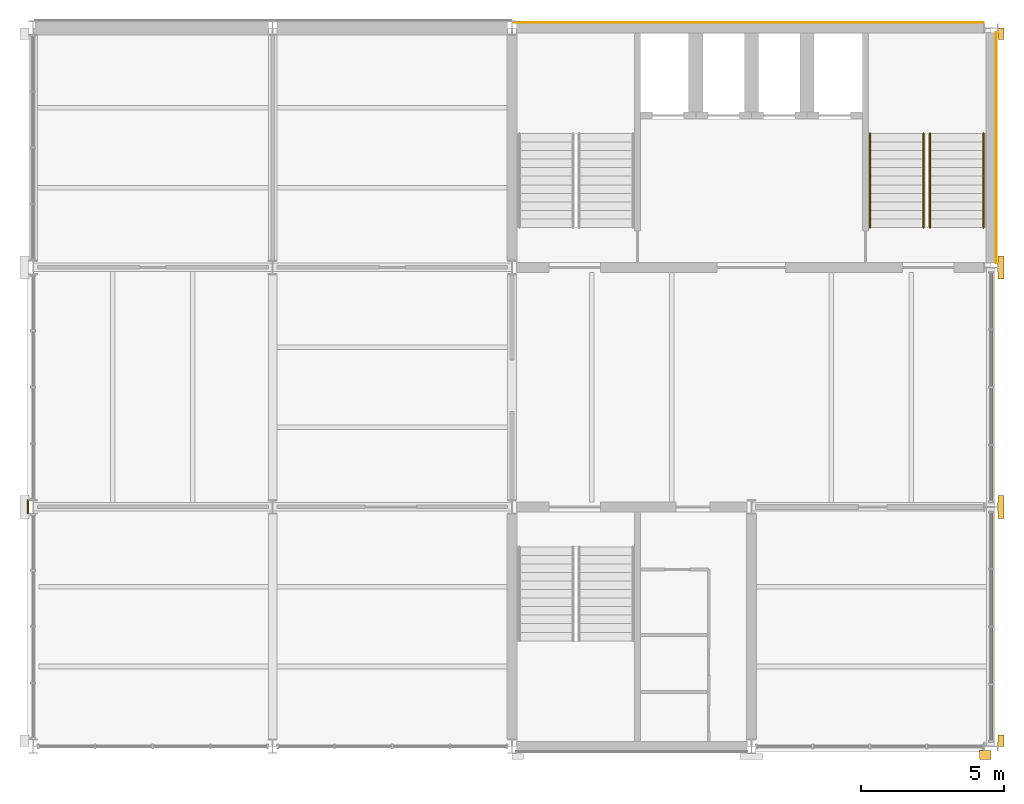
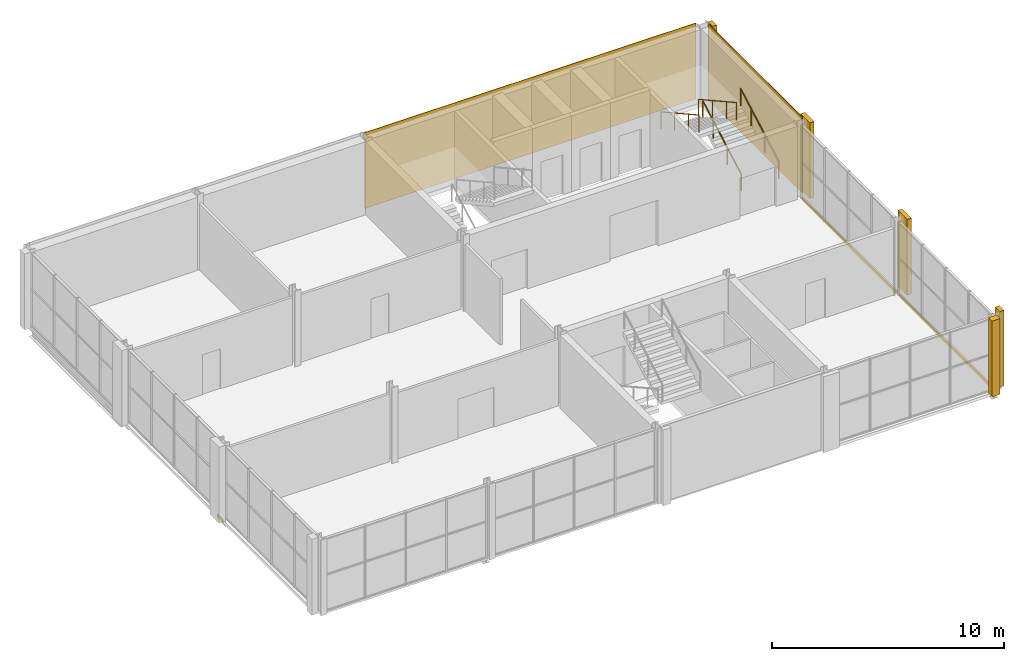
# One storey, part 12 of 12: 10 coverings, 4 railings.
"""IFC4 building model written with IfcOpenShell, lengths in metres."""

from ifc_helpers import new_model, si_unit, direction, frame, origin, origin_2d, place, context, subcontext, project, spatial, rectangle, circle, extrude, material, layer, layer_set, type_object, element, save


model = new_model("IFC4")

# Units and contexts
model_context = context("Model", 3, precision=1e-05, world=origin(), true_north=direction((0.0, 1.0)))
body_context = subcontext(model_context, "Body", "Model", "MODEL_VIEW")
ifc_project = project(units=[si_unit("LENGTHUNIT", "METRE"), si_unit("AREAUNIT", "SQUARE_METRE"), si_unit("VOLUMEUNIT", "CUBIC_METRE"), si_unit("PLANEANGLEUNIT", "RADIAN"), si_unit("MASSUNIT", "GRAM", prefix="KILO")], contexts=[model_context])

# Site, building, storey
site_placement = place(None, origin())
site = spatial("IfcSite", under=ifc_project, at=site_placement, CompositionType="ELEMENT")
building_placement = place(site_placement, origin())
building = spatial("IfcBuilding", under=site, at=building_placement, Name="Galleria Vessillo Department Store", CompositionType="ELEMENT")
storey_placement = place(building_placement, frame((0.0, 0.0, 35.60009765625)))
storey = spatial("IfcBuildingStorey", under=building, at=storey_placement, Name="L07", CompositionType="ELEMENT", Elevation=35.60009765625)

# Coverings
ifc_material_1 = material(Name="Lime plaster (intonaco) ochre")
ifc_layer_1 = layer(ifc_material_1, 0.030029296875)
ifc_layer_set_1 = layer_set([ifc_layer_1], Name="Lime plaster (intonaco) ochre")
covering_type_1 = type_object("IfcCoveringType", Name="Lime plaster render 30 mm", PredefinedType="CLADDING", material=ifc_layer_set_1)
covering_1_placement = place(storey_placement, frame((109.090087890625, 63.18994140625, 0.0), z_axis=(0.0, 0.0, 1.0), x_axis=(1.0, 0.0, 0.0)))
element("IfcCovering", 1, at=covering_1_placement, inside=storey, type_object=covering_type_1, Name="Wall cladding S-CW-TC-PARTY-L07", PredefinedType="CLADDING", context=body_context, shape_type="SweptSolid", body=[
    extrude(rectangle(XDim=16.52001953125, YDim=0.030029296875, at=origin_2d()), origin(), (0.0, 0.0, 1.0), 4.0),
])
ifc_material_2 = material(Name="Botticino limestone ashlar", Category="masonry")
ifc_layer_2 = layer(ifc_material_2, 0.14990234375)
ifc_layer_set_2 = layer_set([ifc_layer_2], Name="Botticino limestone ashlar")
covering_type_2 = type_object("IfcCoveringType", Name="Limestone slab-edge fascia 150 mm", PredefinedType="CLADDING", material=ifc_layer_set_2)
covering_2_placement = place(storey_placement, frame((117.64013671875, 42.0, -0.14990234375), z_axis=(0.0, 0.0, 1.0), x_axis=(1.0, 0.0, 0.0)))
element("IfcCovering", 2, at=covering_2_placement, inside=storey, type_object=covering_type_2, Name="Slab-edge fascia TE-L06-01", PredefinedType="CLADDING", context=body_context, shape_type="SweptSolid", body=[
    extrude(rectangle(XDim=0.080078125, YDim=8.099853515625, at=origin_2d()), origin(), (0.0, 0.0, 1.0), 0.14990234375),
])
covering_3_placement = place(storey_placement, frame((117.64013671875, 50.39990234375, -0.14990234375), z_axis=(0.0, 0.0, 1.0), x_axis=(1.0, 0.0, 0.0)))
element("IfcCovering", 3, at=covering_3_placement, inside=storey, type_object=covering_type_2, Name="Slab-edge fascia TE-L06-02", PredefinedType="CLADDING", context=body_context, shape_type="SweptSolid", body=[
    extrude(rectangle(XDim=0.080078125, YDim=8.10009765625, at=origin_2d()), origin(), (0.0, 0.0, 1.0), 0.14990234375),
])
covering_4_placement = place(storey_placement, frame((83.824951171875, 46.199951171875, -0.150146484375), z_axis=(0.0, 0.0, 1.0), x_axis=(1.0, 0.0, 0.0)))
element("IfcCovering", 4, at=covering_4_placement, inside=storey, type_object=covering_type_2, Name="Joint block Slab-edge fascia TW-L06-01", PredefinedType="CLADDING", context=body_context, shape_type="SweptSolid", body=[
    extrude(rectangle(XDim=0.050048828125, YDim=0.5, at=origin_2d()), origin(), (0.0, 0.0, 1.0), 0.14990234375),
])
ifc_material_3 = material(Name="Botticino limestone ashlar", Category="masonry")
ifc_layer_3 = layer(ifc_material_3, 0.31005859375)
ifc_layer_set_3 = layer_set([ifc_layer_3], Name="Botticino limestone ashlar")
covering_type_3 = type_object("IfcCoveringType", Name="Limestone tower pilaster strip", PredefinedType="CLADDING", material=ifc_layer_set_3)
covering_5_placement = place(storey_placement, frame((117.955078125, 38.0, 0.0), z_axis=(0.0, 0.0, 1.0), x_axis=(1.0, 0.0, 0.0)))
element("IfcCovering", 5, at=covering_5_placement, inside=storey, type_object=covering_type_3, Name="Tower pilaster strip E L07 37.8", PredefinedType="CLADDING", context=body_context, shape_type="SweptSolid", body=[
    extrude(rectangle(XDim=0.2099609375, YDim=0.39990234375, at=origin_2d()), origin(), (0.0, 0.0, 1.0), 4.0),
])
for number, where, z_axis, x_axis, name in (
    (6, (117.955078125, 46.199951171875, 0.0), (0.0, 0.0, 1.0), (1.0, 0.0, 0.0), "Tower pilaster strip E L07 46.2"),
    (7, (117.955078125, 54.60009765625, 0.0), (0.0, 0.0, 1.0), (1.0, 0.0, 0.0), "Tower pilaster strip E L07 54.6"),
):
    element("IfcCovering", number, at=place(storey_placement, frame(where, z_axis=z_axis, x_axis=x_axis)), inside=storey, type_object=covering_type_3, Name=name, PredefinedType="CLADDING", context=body_context, shape_type="SweptSolid", body=[
        extrude(rectangle(XDim=0.2099609375, YDim=0.800048828125, at=origin_2d()), origin(), (0.0, 0.0, 1.0), 4.0),
    ])
covering_6_placement = place(storey_placement, frame((117.955078125, 62.800048828125, 0.0), z_axis=(0.0, 0.0, 1.0), x_axis=(1.0, 0.0, 0.0)))
element("IfcCovering", 8, at=covering_6_placement, inside=storey, type_object=covering_type_3, Name="Tower pilaster strip E L07 63.0", PredefinedType="CLADDING", context=body_context, shape_type="SweptSolid", body=[
    extrude(rectangle(XDim=0.2099609375, YDim=0.39990234375, at=origin_2d()), origin(), (0.0, 0.0, 1.0), 4.0),
])
covering_7_placement = place(storey_placement, frame((117.400146484375, 37.4951171875, 0.0), z_axis=(0.0, 0.0, 1.0), x_axis=(1.0, 0.0, 0.0)))
element("IfcCovering", 9, at=covering_7_placement, inside=storey, type_object=covering_type_3, Name="Tower pilaster strip S L07 117.6", PredefinedType="CLADDING", context=body_context, shape_type="SweptSolid", body=[
    extrude(rectangle(XDim=0.39990234375, YDim=0.31005859375, at=origin_2d()), origin(), (0.0, 0.0, 1.0), 4.0),
])
ifc_material_4 = material(Name="Botticino limestone ashlar", Category="masonry")
ifc_layer_4 = layer(ifc_material_4, 0.030029296875)
ifc_layer_set_4 = layer_set([ifc_layer_4], Name="Botticino limestone ashlar")
covering_type_4 = type_object("IfcCoveringType", Name="Limestone wall cladding 30 mm", PredefinedType="CLADDING", material=ifc_layer_set_4)
covering_8_placement = place(storey_placement, frame((117.7900390625, 58.800048828125, 0.0), z_axis=(0.0, 0.0, 1.0), x_axis=(1.0, 0.0, 0.0)))
element("IfcCovering", 10, at=covering_8_placement, inside=storey, type_object=covering_type_4, Name="Wall cladding S-CW-TC-EAST-L07", PredefinedType="CLADDING", context=body_context, shape_type="SweptSolid", body=[
    extrude(rectangle(XDim=0.030029296875, YDim=8.099853515625, at=origin_2d()), origin(), (0.0, 0.0, 1.0), 4.0),
])

# Railings
ifc_material_5 = material(Name="Stainless steel tube", Category="steel")
railing_type = type_object("IfcRailingType", Name="Stair handrail steel tube 48 mm", PredefinedType="HANDRAIL", material=ifc_material_5)
for number, where, name in (
    (11, (115.4599609375, 56.0, 0.166748046875), "Handrail ST9 L07 flight 1A"),
    (12, (117.33984375, 56.0, 0.166748046875), "Handrail ST9 L07 flight 1B"),
):
    element("IfcRailing", number, at=place(storey_placement, frame(where)), inside=storey, type_object=railing_type, Name=name, PredefinedType="HANDRAIL", context=body_context, shape_type="SweptSolid", body=[
        extrude(circle(Radius=0.02392578125, at=origin_2d()), frame((0.0, 0.0, 0.89599609375), z_axis=(0.0, 0.874199221805, 0.485567421267), x_axis=(-1.0, 0.0, 0.0)), (0.0, 0.0, 1.0), 1.37255859375),
        extrude(circle(Radius=0.02392578125, at=origin_2d()), frame((0.0, 1.199951171875, 1.5625), z_axis=(0.0, 0.874123717778, 0.485703331282), x_axis=(-1.0, 0.0, 0.0)), (0.0, 0.0, 1.0), 1.372802734375),
        extrude(circle(Radius=0.02392578125, at=origin_2d()), frame((0.0, 2.39990234375, 2.22900390625), z_axis=(0.0, 0.874190826042, 0.485582536407), x_axis=(-1.0, 0.0, 0.0)), (0.0, 0.0, 1.0), 1.02978515625),
        extrude(circle(Radius=0.02099609375, at=origin_2d()), origin(), (0.0, 0.0, 1.0), 0.871826171875),
        extrude(circle(Radius=0.02099609375, at=origin_2d()), frame((0.0, 1.199951171875, 0.66650390625)), (0.0, 0.0, 1.0), 0.871826171875),
        extrude(circle(Radius=0.02099609375, at=origin_2d()), frame((0.0, 2.39990234375, 1.333251953125)), (0.0, 0.0, 1.0), 0.871826171875),
        extrude(circle(Radius=0.02099609375, at=origin_2d()), frame((0.0, 3.300048828125, 1.833251953125)), (0.0, 0.0, 1.0), 0.871826171875),
    ])
for number, where, name in (
    (13, (115.239990234375, 59.300048828125, 2.166748046875), "Handrail ST9 L07 flight 2A"),
    (14, (113.360107421875, 59.300048828125, 2.166748046875), "Handrail ST9 L07 flight 2B"),
):
    element("IfcRailing", number, at=place(storey_placement, frame(where)), inside=storey, type_object=railing_type, Name=name, PredefinedType="HANDRAIL", context=body_context, shape_type="SweptSolid", body=[
        extrude(circle(Radius=0.02392578125, at=origin_2d()), frame((0.0, 0.0, 0.89599609375), z_axis=(0.0, -0.874199221805, 0.485567421267), x_axis=(1.0, 0.0, 0.0)), (0.0, 0.0, 1.0), 1.37255859375),
        extrude(circle(Radius=0.02392578125, at=origin_2d()), frame((0.0, -1.199951171875, 1.5625), z_axis=(0.0, -0.874123717778, 0.485703331282), x_axis=(1.0, 0.0, 0.0)), (0.0, 0.0, 1.0), 1.372802734375),
        extrude(circle(Radius=0.02392578125, at=origin_2d()), frame((0.0, -2.39990234375, 2.22900390625), z_axis=(0.0, -0.874190826042, 0.485582536407), x_axis=(1.0, 0.0, 0.0)), (0.0, 0.0, 1.0), 1.02978515625),
        extrude(circle(Radius=0.02099609375, at=origin_2d()), origin(), (0.0, 0.0, 1.0), 0.871826171875),
        extrude(circle(Radius=0.02099609375, at=origin_2d()), frame((0.0, -1.199951171875, 0.66650390625)), (0.0, 0.0, 1.0), 0.871826171875),
        extrude(circle(Radius=0.02099609375, at=origin_2d()), frame((0.0, -2.39990234375, 1.333251953125)), (0.0, 0.0, 1.0), 0.871826171875),
        extrude(circle(Radius=0.02099609375, at=origin_2d()), frame((0.0, -3.300048828125, 1.833251953125)), (0.0, 0.0, 1.0), 0.871826171875),
    ])

save(model, "model.ifc")
